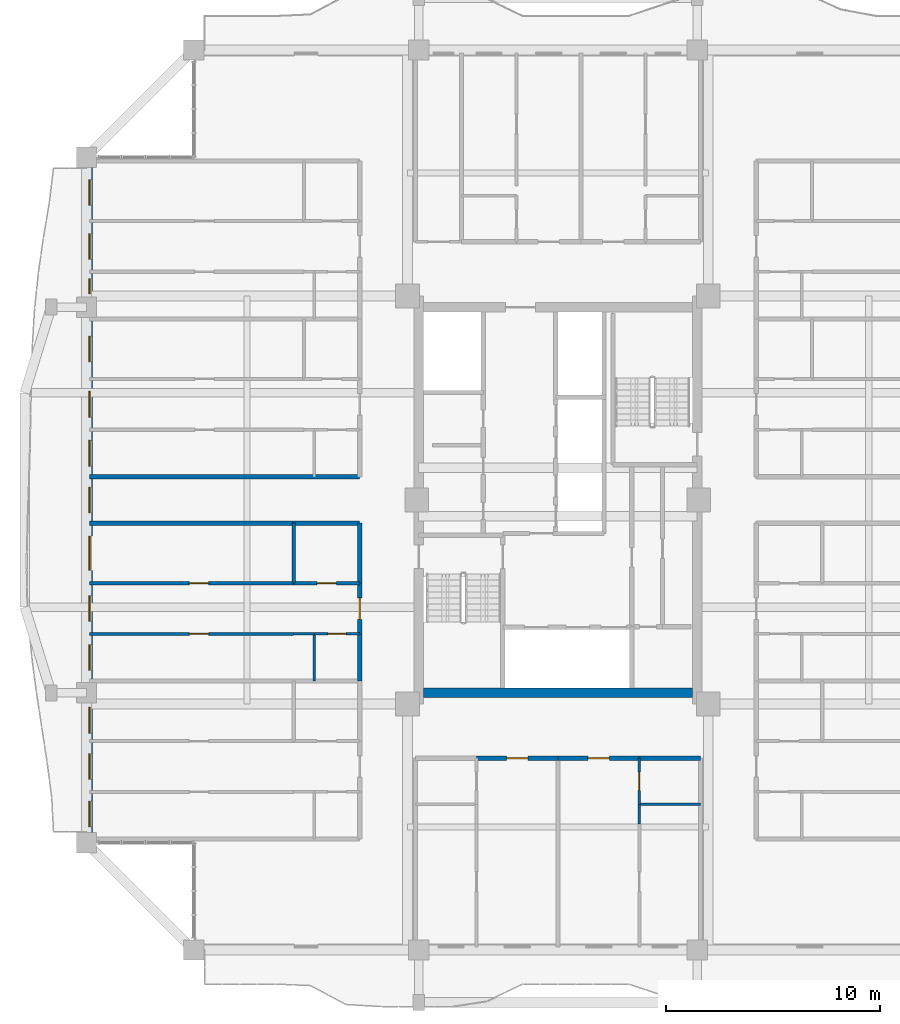
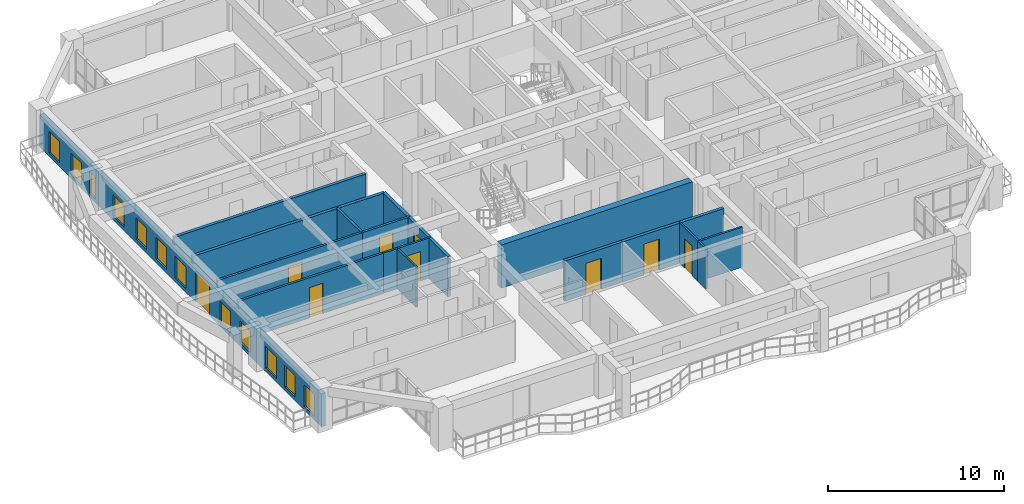
# One storey, part 12 of 23: 20 walls, 12 windows, 9 doors, 21 openings.
"""IFC4 building model written with IfcOpenShell, lengths in metres."""

from ifc_helpers import new_model, si_unit, direction, frame, frame_2d, origin, place, context, subcontext, project, spatial, rectangle, extrude, source, transform, mapped, material, layer, layer_set, type_object, element, fill, save


model = new_model("IFC4")

# Units and contexts
model_context = context("Model", 3, precision=1e-05, world=origin(), true_north=direction((0.0, 1.0)))
body_context = subcontext(model_context, "Body", "Model", "MODEL_VIEW")
ifc_project = project(units=[si_unit("LENGTHUNIT", "METRE"), si_unit("AREAUNIT", "SQUARE_METRE"), si_unit("VOLUMEUNIT", "CUBIC_METRE"), si_unit("PLANEANGLEUNIT", "RADIAN"), si_unit("MASSUNIT", "GRAM", prefix="KILO")], contexts=[model_context])

# Site, building, storey
site_placement = place(None, origin())
site = spatial("IfcSite", under=ifc_project, at=site_placement, CompositionType="ELEMENT")
building_placement = place(site_placement, origin())
building = spatial("IfcBuilding", under=site, at=building_placement, Name="Saelheon Loggia Tower", CompositionType="ELEMENT")
storey_placement = place(building_placement, frame((0.0, 0.0, 156.10009765625)))
storey = spatial("IfcBuildingStorey", under=building, at=storey_placement, Name="L49", CompositionType="ELEMENT", Elevation=156.10009765625)

# Wall
ifc_material_1 = material(Name="Concrete C45/55", Category="concrete")
ifc_layer_1 = layer(ifc_material_1, 0.449951171875)
ifc_layer_set_1 = layer_set([ifc_layer_1], Name="Concrete C45/55")
wall_type_1 = type_object("IfcWallType", Name="Wall_CoreShear_450", PredefinedType="SHEAR", material=ifc_layer_set_1)
wall_1_placement = place(storey_placement, frame((31.72509765625, 18.0, 0.0), z_axis=(0.0, 0.0, 1.0), x_axis=(1.0, 0.0, 0.0)))
element("IfcWall", 1, at=wall_1_placement, inside=storey, type_object=wall_type_1, Name="L49 Core Shear Wall South", PredefinedType="SHEAR", context=body_context, shape_type="SweptSolid", body=[
    extrude(rectangle(XDim=12.5498046875, YDim=0.449951171875, at=frame_2d((6.27490234375, 0.0))), origin(), (0.0, 0.0, 1.0), 3.0),
])

# Wall, openings, windows, door
ifc_material_2 = material(Name="Architectural Precast Concrete C40/50", Category="concrete")
ifc_layer_2 = layer(ifc_material_2, 0.280029296875)
ifc_layer_set_2 = layer_set([ifc_layer_2], Name="Architectural Precast Concrete C40/50")
wall_type_2 = type_object("IfcWallType", Name="Wall_Ext_Loggia_280", PredefinedType="SOLIDWALL", material=ifc_layer_set_2)
wall_2_placement = place(storey_placement, frame((16.139892578125, 11.0, 0.0), z_axis=(0.0, 0.0, 1.0), x_axis=(0.0, 1.0, 0.0)))
wall_2 = element("IfcWall", 2, at=wall_2_placement, inside=storey, type_object=wall_type_2, Name="L49 West Loggia Inner Wall", PredefinedType="SOLIDWALL", context=body_context, shape_type="SweptSolid", body=[
    extrude(rectangle(XDim=32.0, YDim=0.280029296875, at=frame_2d((16.0, 0.0))), origin(), (0.0, 0.0, 1.0), 2.27978515625),
])
opening_1_placement = place(wall_2_placement, frame((0.74755859375, 0.0, 0.25)))
opening_1 = element("IfcOpeningElement", 3, at=opening_1_placement, cuts=wall_2, Name="Opening WN-03", PredefinedType="OPENING", context=body_context, shape_type="SweptSolid", body=[
    extrude(rectangle(XDim=1.199951171875, YDim=1.5, at=frame_2d((0.60009765625, 0.75))), frame((0.0, 0.152099609375, 0.0), z_axis=(0.0, -1.0, 0.0), x_axis=(1.0, 0.0, 0.0)), (0.0, 0.0, 1.0), 0.303955078125),
])
opening_2_placement = place(wall_2_placement, frame((2.964599609375, 0.0, 0.25)))
opening_2 = element("IfcOpeningElement", 4, at=opening_2_placement, cuts=wall_2, Name="Opening WN-03", PredefinedType="OPENING", context=body_context, shape_type="SweptSolid", body=[
    extrude(rectangle(XDim=1.199951171875, YDim=1.5, at=frame_2d((0.60009765625, 0.75))), frame((0.0, 0.152099609375, 0.0), z_axis=(0.0, -1.0, 0.0), x_axis=(1.0, 0.0, 0.0)), (0.0, 0.0, 1.0), 0.303955078125),
])
opening_3_placement = place(wall_2_placement, frame((5.1171875, 0.0, 0.25)))
opening_3 = element("IfcOpeningElement", 5, at=opening_3_placement, cuts=wall_2, Name="Opening WN-03", PredefinedType="OPENING", context=body_context, shape_type="SweptSolid", body=[
    extrude(rectangle(XDim=1.199951171875, YDim=1.5, at=frame_2d((0.60009765625, 0.75))), frame((0.0, 0.152099609375, 0.0), z_axis=(0.0, -1.0, 0.0), x_axis=(1.0, 0.0, 0.0)), (0.0, 0.0, 1.0), 0.303955078125),
])
opening_4_placement = place(wall_2_placement, frame((8.050048828125, 0.0, 0.25)))
opening_4 = element("IfcOpeningElement", 6, at=opening_4_placement, cuts=wall_2, Name="Opening WN-03", PredefinedType="OPENING", context=body_context, shape_type="SweptSolid", body=[
    extrude(rectangle(XDim=1.199951171875, YDim=1.5, at=frame_2d((0.60009765625, 0.75))), frame((0.0, 0.152099609375, 0.0), z_axis=(0.0, -1.0, 0.0), x_axis=(1.0, 0.0, 0.0)), (0.0, 0.0, 1.0), 0.303955078125),
])
opening_5_placement = place(wall_2_placement, frame((10.334716796875, 0.0, 0.25)))
opening_5 = element("IfcOpeningElement", 7, at=opening_5_placement, cuts=wall_2, Name="Opening WN-03", PredefinedType="OPENING", context=body_context, shape_type="SweptSolid", body=[
    extrude(rectangle(XDim=1.199951171875, YDim=1.5, at=frame_2d((0.60009765625, 0.75))), frame((0.0, 0.152099609375, 0.0), z_axis=(0.0, -1.0, 0.0), x_axis=(1.0, 0.0, 0.0)), (0.0, 0.0, 1.0), 0.303955078125),
])
opening_6_placement = place(wall_2_placement, frame((12.7197265625, 0.0, 0.0)))
opening_6 = element("IfcOpeningElement", 8, at=opening_6_placement, cuts=wall_2, Name="Opening DLG-1", PredefinedType="OPENING", context=body_context, shape_type="SweptSolid", body=[
    extrude(rectangle(XDim=1.60009765625, YDim=2.14990234375, at=frame_2d((0.800048828125, 1.074951171875))), frame((0.0, 0.152099609375, 0.0), z_axis=(0.0, -1.0, 0.0), x_axis=(1.0, 0.0, 0.0)), (0.0, 0.0, 1.0), 0.303955078125),
])
opening_7_placement = place(wall_2_placement, frame((15.39990234375, 0.0, 0.25)))
opening_7 = element("IfcOpeningElement", 9, at=opening_7_placement, cuts=wall_2, Name="Opening WN-03", PredefinedType="OPENING", context=body_context, shape_type="SweptSolid", body=[
    extrude(rectangle(XDim=1.199951171875, YDim=1.5, at=frame_2d((0.60009765625, 0.75))), frame((0.0, 0.152099609375, 0.0), z_axis=(0.0, -1.0, 0.0), x_axis=(1.0, 0.0, 0.0)), (0.0, 0.0, 1.0), 0.303955078125),
])
opening_8_placement = place(wall_2_placement, frame((17.580078125, 0.0, 0.25)))
opening_8 = element("IfcOpeningElement", 10, at=opening_8_placement, cuts=wall_2, Name="Opening WN-03", PredefinedType="OPENING", context=body_context, shape_type="SweptSolid", body=[
    extrude(rectangle(XDim=1.199951171875, YDim=1.5, at=frame_2d((0.60009765625, 0.75))), frame((0.0, 0.152099609375, 0.0), z_axis=(0.0, -1.0, 0.0), x_axis=(1.0, 0.0, 0.0)), (0.0, 0.0, 1.0), 0.303955078125),
])
opening_9_placement = place(wall_2_placement, frame((19.86474609375, 0.0, 0.25)))
opening_9 = element("IfcOpeningElement", 11, at=opening_9_placement, cuts=wall_2, Name="Opening WN-03", PredefinedType="OPENING", context=body_context, shape_type="SweptSolid", body=[
    extrude(rectangle(XDim=1.199951171875, YDim=1.5, at=frame_2d((0.60009765625, 0.75))), frame((0.0, 0.152099609375, 0.0), z_axis=(0.0, -1.0, 0.0), x_axis=(1.0, 0.0, 0.0)), (0.0, 0.0, 1.0), 0.303955078125),
])
opening_10_placement = place(wall_2_placement, frame((22.44970703125, 0.0, 0.25)))
opening_10 = element("IfcOpeningElement", 12, at=opening_10_placement, cuts=wall_2, Name="Opening WN-03", PredefinedType="OPENING", context=body_context, shape_type="SweptSolid", body=[
    extrude(rectangle(XDim=1.199951171875, YDim=1.5, at=frame_2d((0.60009765625, 0.75))), frame((0.0, 0.152099609375, 0.0), z_axis=(0.0, -1.0, 0.0), x_axis=(1.0, 0.0, 0.0)), (0.0, 0.0, 1.0), 0.303955078125),
])
opening_11_placement = place(wall_2_placement, frame((25.632568359375, 0.0, 0.25)))
opening_11 = element("IfcOpeningElement", 13, at=opening_11_placement, cuts=wall_2, Name="Opening WN-06", PredefinedType="OPENING", context=body_context, shape_type="SweptSolid", body=[
    extrude(rectangle(XDim=0.699951171875, YDim=1.5, at=frame_2d((0.35009765625, 0.75))), frame((0.0, 0.152099609375, 0.0), z_axis=(0.0, -1.0, 0.0), x_axis=(1.0, 0.0, 0.0)), (0.0, 0.0, 1.0), 0.303955078125),
])
opening_12_placement = place(wall_2_placement, frame((27.234619140625, 0.0, 0.25)))
opening_12 = element("IfcOpeningElement", 14, at=opening_12_placement, cuts=wall_2, Name="Opening WN-03", PredefinedType="OPENING", context=body_context, shape_type="SweptSolid", body=[
    extrude(rectangle(XDim=1.199951171875, YDim=1.5, at=frame_2d((0.60009765625, 0.75))), frame((0.0, 0.152099609375, 0.0), z_axis=(0.0, -1.0, 0.0), x_axis=(1.0, 0.0, 0.0)), (0.0, 0.0, 1.0), 0.303955078125),
])
opening_13_placement = place(wall_2_placement, frame((29.752197265625, 0.0, 0.25)))
opening_13 = element("IfcOpeningElement", 15, at=opening_13_placement, cuts=wall_2, Name="Opening WN-03", PredefinedType="OPENING", context=body_context, shape_type="SweptSolid", body=[
    extrude(rectangle(XDim=1.199951171875, YDim=1.5, at=frame_2d((0.60009765625, 0.75))), frame((0.0, 0.152099609375, 0.0), z_axis=(0.0, -1.0, 0.0), x_axis=(1.0, 0.0, 0.0)), (0.0, 0.0, 1.0), 0.303955078125),
])
ifc_material_3 = material(Name="Thermal-Break Aluminium and Triple Low-E Glass", Category="aluminium")
window_type_1 = type_object("IfcWindowType", Name="Win_Slot_700x1500", PartitioningType="SINGLE_PANEL", PredefinedType="WINDOW", material=ifc_material_3)
shared_shape_1 = source(origin(), body_context, "Body", "SweptSolid", [
    extrude(rectangle(XDim=0.699951171875, YDim=1.5, at=frame_2d((0.35009765625, 0.75))), frame((0.0, 0.030029296875, 0.0), z_axis=(0.0, -1.0, 0.0), x_axis=(1.0, 0.0, 0.0)), (0.0, 0.0, 1.0), 0.06005859375),
])
window_1_placement = place(opening_11_placement, origin())
window_1 = element("IfcWindow", 16, at=window_1_placement, inside=storey, type_object=window_type_1, Name="L49 W Dwelling Window 11", OverallHeight=1.5, OverallWidth=0.699951171875, PartitioningType="SINGLE_PANEL", PredefinedType="WINDOW", context=body_context, shape_type="MappedRepresentation", body=[
    mapped(shared_shape_1, transform((0.0, 0.0, 0.0), scale=1.0)),
])
fill(opening_11, window_1)
window_type_2 = type_object("IfcWindowType", Name="Win_Bedroom_1200x1500", PartitioningType="SINGLE_PANEL", PredefinedType="WINDOW", material=ifc_material_3)
shared_shape_2 = source(origin(), body_context, "Body", "SweptSolid", [
    extrude(rectangle(XDim=1.199951171875, YDim=1.5, at=frame_2d((0.60009765625, 0.75))), frame((0.0, 0.030029296875, 0.0), z_axis=(0.0, -1.0, 0.0), x_axis=(1.0, 0.0, 0.0)), (0.0, 0.0, 1.0), 0.06005859375),
])
window_2_placement = place(opening_1_placement, origin())
window_2 = element("IfcWindow", 17, at=window_2_placement, inside=storey, type_object=window_type_2, Name="L49 W Dwelling Window 1", OverallHeight=1.5, OverallWidth=1.199951171875, PartitioningType="SINGLE_PANEL", PredefinedType="WINDOW", context=body_context, shape_type="MappedRepresentation", body=[
    mapped(shared_shape_2, transform((0.0, 0.0, 0.0), scale=1.0)),
])
fill(opening_1, window_2)
window_3_placement = place(opening_2_placement, origin())
window_3 = element("IfcWindow", 18, at=window_3_placement, inside=storey, type_object=window_type_2, Name="L49 W Dwelling Window 2", OverallHeight=1.5, OverallWidth=1.199951171875, PartitioningType="SINGLE_PANEL", PredefinedType="WINDOW", context=body_context, shape_type="MappedRepresentation", body=[
    mapped(shared_shape_2, transform((0.0, 0.0, 0.0), scale=1.0)),
])
fill(opening_2, window_3)
window_4_placement = place(opening_3_placement, origin())
window_4 = element("IfcWindow", 19, at=window_4_placement, inside=storey, type_object=window_type_2, Name="L49 W Dwelling Window 3", OverallHeight=1.5, OverallWidth=1.199951171875, PartitioningType="SINGLE_PANEL", PredefinedType="WINDOW", context=body_context, shape_type="MappedRepresentation", body=[
    mapped(shared_shape_2, transform((0.0, 0.0, 0.0), scale=1.0)),
])
fill(opening_3, window_4)
window_5_placement = place(opening_4_placement, origin())
window_5 = element("IfcWindow", 20, at=window_5_placement, inside=storey, type_object=window_type_2, Name="L49 W Dwelling Window 4", OverallHeight=1.5, OverallWidth=1.199951171875, PartitioningType="SINGLE_PANEL", PredefinedType="WINDOW", context=body_context, shape_type="MappedRepresentation", body=[
    mapped(shared_shape_2, transform((0.0, 0.0, 0.0), scale=1.0)),
])
fill(opening_4, window_5)
window_6_placement = place(opening_5_placement, origin())
window_6 = element("IfcWindow", 21, at=window_6_placement, inside=storey, type_object=window_type_2, Name="L49 W Dwelling Window 5", OverallHeight=1.5, OverallWidth=1.199951171875, PartitioningType="SINGLE_PANEL", PredefinedType="WINDOW", context=body_context, shape_type="MappedRepresentation", body=[
    mapped(shared_shape_2, transform((0.0, 0.0, 0.0), scale=1.0)),
])
fill(opening_5, window_6)
window_7_placement = place(opening_7_placement, origin())
window_7 = element("IfcWindow", 22, at=window_7_placement, inside=storey, type_object=window_type_2, Name="L49 W Dwelling Window 7", OverallHeight=1.5, OverallWidth=1.199951171875, PartitioningType="SINGLE_PANEL", PredefinedType="WINDOW", context=body_context, shape_type="MappedRepresentation", body=[
    mapped(shared_shape_2, transform((0.0, 0.0, 0.0), scale=1.0)),
])
fill(opening_7, window_7)
window_8_placement = place(opening_8_placement, origin())
window_8 = element("IfcWindow", 23, at=window_8_placement, inside=storey, type_object=window_type_2, Name="L49 W Dwelling Window 8", OverallHeight=1.5, OverallWidth=1.199951171875, PartitioningType="SINGLE_PANEL", PredefinedType="WINDOW", context=body_context, shape_type="MappedRepresentation", body=[
    mapped(shared_shape_2, transform((0.0, 0.0, 0.0), scale=1.0)),
])
fill(opening_8, window_8)
window_9_placement = place(opening_9_placement, origin())
window_9 = element("IfcWindow", 24, at=window_9_placement, inside=storey, type_object=window_type_2, Name="L49 W Dwelling Window 9", OverallHeight=1.5, OverallWidth=1.199951171875, PartitioningType="SINGLE_PANEL", PredefinedType="WINDOW", context=body_context, shape_type="MappedRepresentation", body=[
    mapped(shared_shape_2, transform((0.0, 0.0, 0.0), scale=1.0)),
])
fill(opening_9, window_9)
window_10_placement = place(opening_10_placement, origin())
window_10 = element("IfcWindow", 25, at=window_10_placement, inside=storey, type_object=window_type_2, Name="L49 W Dwelling Window 10", OverallHeight=1.5, OverallWidth=1.199951171875, PartitioningType="SINGLE_PANEL", PredefinedType="WINDOW", context=body_context, shape_type="MappedRepresentation", body=[
    mapped(shared_shape_2, transform((0.0, 0.0, 0.0), scale=1.0)),
])
fill(opening_10, window_10)
window_11_placement = place(opening_12_placement, origin())
window_11 = element("IfcWindow", 26, at=window_11_placement, inside=storey, type_object=window_type_2, Name="L49 W Dwelling Window 12", OverallHeight=1.5, OverallWidth=1.199951171875, PartitioningType="SINGLE_PANEL", PredefinedType="WINDOW", context=body_context, shape_type="MappedRepresentation", body=[
    mapped(shared_shape_2, transform((0.0, 0.0, 0.0), scale=1.0)),
])
fill(opening_12, window_11)
window_12_placement = place(opening_13_placement, origin())
window_12 = element("IfcWindow", 27, at=window_12_placement, inside=storey, type_object=window_type_2, Name="L49 W Dwelling Window 13", OverallHeight=1.5, OverallWidth=1.199951171875, PartitioningType="SINGLE_PANEL", PredefinedType="WINDOW", context=body_context, shape_type="MappedRepresentation", body=[
    mapped(shared_shape_2, transform((0.0, 0.0, 0.0), scale=1.0)),
])
fill(opening_13, window_12)
ifc_material_4 = material(Name="Thermal-Break Aluminium Sliding Glazed Door", Category="aluminium")
door_type_1 = type_object("IfcDoorType", Name="Door_LoggiaSlide_1600", OperationType="SLIDING_TO_LEFT", PredefinedType="DOOR", material=ifc_material_4)
shared_shape_3 = source(origin(), body_context, "Body", "SweptSolid", [
    extrude(rectangle(XDim=1.60009765625, YDim=2.14990234375, at=frame_2d((0.800048828125, 1.074951171875))), frame((0.0, 0.02490234375, 0.0), z_axis=(0.0, -1.0, 0.0), x_axis=(1.0, 0.0, 0.0)), (0.0, 0.0, 1.0), 0.050048828125),
])
door_1_placement = place(opening_6_placement, origin())
door_1 = element("IfcDoor", 28, at=door_1_placement, inside=storey, type_object=door_type_1, Name="L49 W Loggia Access Door", OperationType="SLIDING_TO_LEFT", OverallHeight=2.14990234375, OverallWidth=1.60009765625, PredefinedType="DOOR", context=body_context, shape_type="MappedRepresentation", body=[
    mapped(shared_shape_3, transform((0.0, 0.0, 0.0), scale=1.0)),
])
fill(opening_6, door_1)

# Wall
ifc_material_5 = material(Name="Lightweight Autoclaved Aerated Concrete Block and Acoustic Gypsum", Category="concrete")
ifc_layer_3 = layer(ifc_material_5, 0.14990234375)
ifc_layer_set_3 = layer_set([ifc_layer_3], Name="Lightweight Autoclaved Aerated Concrete Block and Acoustic Gypsum")
wall_type_3 = type_object("IfcWallType", Name="Wall_Part_150", PredefinedType="PARTITIONING", material=ifc_layer_set_3)
wall_3_placement = place(storey_placement, frame((25.669921875, 23.119384765625, 0.0), z_axis=(0.0, 0.0, 1.0), x_axis=(0.0, 1.0, 0.0)))
element("IfcWall", 29, at=wall_3_placement, inside=storey, type_object=wall_type_3, Name="L49 WS Partition V18", PredefinedType="PARTITIONING", context=body_context, shape_type="SweptSolid", body=[
    extrude(rectangle(XDim=2.800537109375, YDim=0.14990234375, at=frame_2d((1.400390625, 0.0))), origin(), (0.0, 0.0, 1.0), 2.789794921875),
])

# Wall, opening, door
wall_4_placement = place(storey_placement, frame((25.669921875, 20.75, 0.0), z_axis=(0.0, 0.0, 1.0), x_axis=(-1.0, 0.0, 0.0)))
wall_4 = element("IfcWall", 30, at=wall_4_placement, inside=storey, type_object=wall_type_3, Name="L49 WS Partition U21", PredefinedType="PARTITIONING", context=body_context, shape_type="SweptSolid", body=[
    extrude(rectangle(XDim=9.52001953125, YDim=0.14990234375, at=frame_2d((4.760009765625, 0.0))), origin(), (0.0, 0.0, 1.0), 2.789794921875),
])
opening_14_placement = place(wall_4_placement, frame((3.970703125, 0.0, 0.0)))
opening_14 = element("IfcOpeningElement", 31, at=opening_14_placement, cuts=wall_4, Name="Opening D-IN2", PredefinedType="OPENING", context=body_context, shape_type="SweptSolid", body=[
    extrude(rectangle(XDim=0.89990234375, YDim=2.10009765625, at=frame_2d((0.449951171875, 1.050048828125))), frame((0.0, 0.0869140625, 0.0), z_axis=(0.0, -1.0, 0.0), x_axis=(1.0, 0.0, 0.0)), (0.0, 0.0, 1.0), 0.173828125),
])
ifc_material_6 = material(Name="Engineered Oak Flush Door", Category="timber")
door_type_2 = type_object("IfcDoorType", Name="Door_Int_900", OperationType="NOTDEFINED", PredefinedType="DOOR", material=ifc_material_6)
shared_shape_4 = source(origin(), body_context, "Body", "SweptSolid", [
    extrude(rectangle(XDim=0.89990234375, YDim=2.10009765625, at=frame_2d((0.449951171875, 1.050048828125))), frame((0.0, 0.02490234375, 0.0), z_axis=(0.0, -1.0, 0.0), x_axis=(1.0, 0.0, 0.0)), (0.0, 0.0, 1.0), 0.050048828125),
])
door_2_placement = place(opening_14_placement, origin())
door_2 = element("IfcDoor", 32, at=door_2_placement, inside=storey, type_object=door_type_2, Name="Unit U06 Kitchen Door", OperationType="SINGLE_SWING_RIGHT", OverallHeight=2.10009765625, OverallWidth=0.89990234375, PredefinedType="DOOR", context=body_context, shape_type="MappedRepresentation", body=[
    mapped(shared_shape_4, transform((0.0, 0.0, 0.0), scale=1.0)),
])
fill(opening_14, door_2)

wall_5_placement = place(storey_placement, frame((28.75, 23.119384765625, 0.0), z_axis=(0.0, 0.0, 1.0), x_axis=(-1.0, 0.0, 0.0)))
wall_5 = element("IfcWall", 33, at=wall_5_placement, inside=storey, type_object=wall_type_3, Name="L49 WS Partition U22", PredefinedType="PARTITIONING", context=body_context, shape_type="SweptSolid", body=[
    extrude(rectangle(XDim=3.080078125, YDim=0.14990234375, at=frame_2d((1.5400390625, 0.0))), origin(), (0.0, 0.0, 1.0), 2.789794921875),
])
opening_15_placement = place(wall_5_placement, frame((1.090087890625, 0.0, 0.0)))
opening_15 = element("IfcOpeningElement", 34, at=opening_15_placement, cuts=wall_5, Name="Opening D-IN2", PredefinedType="OPENING", context=body_context, shape_type="SweptSolid", body=[
    extrude(rectangle(XDim=0.89990234375, YDim=2.10009765625, at=frame_2d((0.449951171875, 1.050048828125))), frame((0.0, 0.0869140625, 0.0), z_axis=(0.0, -1.0, 0.0), x_axis=(1.0, 0.0, 0.0)), (0.0, 0.0, 1.0), 0.173828125),
])
door_3_placement = place(opening_15_placement, origin())
door_3 = element("IfcDoor", 35, at=door_3_placement, inside=storey, type_object=door_type_2, Name="Unit U06 Dressing Closet Door", OperationType="SINGLE_SWING_LEFT", OverallHeight=2.10009765625, OverallWidth=0.89990234375, PredefinedType="DOOR", context=body_context, shape_type="MappedRepresentation", body=[
    mapped(shared_shape_4, transform((0.0, 0.0, 0.0), scale=1.0)),
])
fill(opening_15, door_3)

wall_6_placement = place(storey_placement, frame((25.669921875, 23.119384765625, 0.0), z_axis=(0.0, 0.0, 1.0), x_axis=(-1.0, 0.0, 0.0)))
wall_6 = element("IfcWall", 36, at=wall_6_placement, inside=storey, type_object=wall_type_3, Name="L49 WS Partition U23", PredefinedType="PARTITIONING", context=body_context, shape_type="SweptSolid", body=[
    extrude(rectangle(XDim=9.52001953125, YDim=0.14990234375, at=frame_2d((4.760009765625, 0.0))), origin(), (0.0, 0.0, 1.0), 2.789794921875),
])
opening_16_placement = place(wall_6_placement, frame((3.970703125, 0.0, 0.0)))
opening_16 = element("IfcOpeningElement", 37, at=opening_16_placement, cuts=wall_6, Name="Opening D-IN2", PredefinedType="OPENING", context=body_context, shape_type="SweptSolid", body=[
    extrude(rectangle(XDim=0.89990234375, YDim=2.10009765625, at=frame_2d((0.449951171875, 1.050048828125))), frame((0.0, 0.0869140625, 0.0), z_axis=(0.0, -1.0, 0.0), x_axis=(1.0, 0.0, 0.0)), (0.0, 0.0, 1.0), 0.173828125),
])
door_4_placement = place(opening_16_placement, origin())
door_4 = element("IfcDoor", 38, at=door_4_placement, inside=storey, type_object=door_type_2, Name="Unit U06 Bedroom 1 Door", OperationType="SINGLE_SWING_RIGHT", OverallHeight=2.10009765625, OverallWidth=0.89990234375, PredefinedType="DOOR", context=body_context, shape_type="MappedRepresentation", body=[
    mapped(shared_shape_4, transform((0.0, 0.0, 0.0), scale=1.0)),
])
fill(opening_16, door_4)

ifc_material_7 = material(Name="Double Acoustic Stud and Fireboard Partition", Category="gypsum")
ifc_layer_4 = layer(ifc_material_7, 0.199951171875)
ifc_layer_set_4 = layer_set([ifc_layer_4], Name="Double Acoustic Stud and Fireboard Partition")
wall_type_4 = type_object("IfcWallType", Name="Wall_Party_200", PredefinedType="PARTITIONING", material=ifc_layer_set_4)
wall_7_placement = place(storey_placement, frame((34.199951171875, 14.949951171875, 0.0), z_axis=(0.0, 0.0, 1.0), x_axis=(1.0, 0.0, 0.0)))
wall_7 = element("IfcWall", 39, at=wall_7_placement, inside=storey, type_object=wall_type_4, Name="L49 S Partition V04", PredefinedType="PARTITIONING", context=body_context, shape_type="SweptSolid", body=[
    extrude(rectangle(XDim=3.800048828125, YDim=0.199951171875, at=frame_2d((1.89990234375, 0.0))), origin(), (0.0, 0.0, 1.0), 2.789794921875),
])
opening_17_placement = place(wall_7_placement, frame((1.39990234375, 0.0, 0.0)))
opening_17 = element("IfcOpeningElement", 40, at=opening_17_placement, cuts=wall_7, Name="Opening D-FD1", PredefinedType="OPENING", context=body_context, shape_type="SweptSolid", body=[
    extrude(rectangle(XDim=1.0, YDim=2.14990234375, at=frame_2d((0.5, 1.074951171875))), frame((0.0, 0.112060546875, 0.0), z_axis=(0.0, -1.0, 0.0), x_axis=(1.0, 0.0, 0.0)), (0.0, 0.0, 1.0), 0.223876953125),
])
ifc_material_8 = material(Name="Fire-Rated Engineered Timber Entrance Door", Category="wood")
door_type_3 = type_object("IfcDoorType", Name="Door_Flat_FD30S", OperationType="NOTDEFINED", PredefinedType="DOOR", material=ifc_material_8)
shared_shape_5 = source(origin(), body_context, "Body", "SweptSolid", [
    extrude(rectangle(XDim=1.0, YDim=2.14990234375, at=frame_2d((0.5, 1.074951171875))), frame((0.0, 0.02490234375, 0.0), z_axis=(0.0, -1.0, 0.0), x_axis=(1.0, 0.0, 0.0)), (0.0, 0.0, 1.0), 0.050048828125),
])
door_5_placement = place(opening_17_placement, origin())
door_5 = element("IfcDoor", 41, at=door_5_placement, inside=storey, type_object=door_type_3, Name="Unit U01 Entrance Door", OperationType="SINGLE_SWING_RIGHT", OverallHeight=2.14990234375, OverallWidth=1.0, PredefinedType="DOOR", context=body_context, shape_type="MappedRepresentation", body=[
    mapped(shared_shape_5, transform((0.0, 0.0, 0.0), scale=1.0)),
])
fill(opening_17, door_5)

wall_8_placement = place(storey_placement, frame((38.0, 14.949951171875, 0.0), z_axis=(0.0, 0.0, 1.0), x_axis=(1.0, 0.0, 0.0)))
wall_8 = element("IfcWall", 42, at=wall_8_placement, inside=storey, type_object=wall_type_4, Name="L49 S Partition V10", PredefinedType="PARTITIONING", context=body_context, shape_type="SweptSolid", body=[
    extrude(rectangle(XDim=3.800048828125, YDim=0.199951171875, at=frame_2d((1.89990234375, 0.0))), origin(), (0.0, 0.0, 1.0), 2.789794921875),
])
opening_18_placement = place(wall_8_placement, frame((1.39990234375, 0.0, 0.0)))
opening_18 = element("IfcOpeningElement", 43, at=opening_18_placement, cuts=wall_8, Name="Opening D-FD1", PredefinedType="OPENING", context=body_context, shape_type="SweptSolid", body=[
    extrude(rectangle(XDim=1.0, YDim=2.14990234375, at=frame_2d((0.5, 1.074951171875))), frame((0.0, 0.112060546875, 0.0), z_axis=(0.0, -1.0, 0.0), x_axis=(1.0, 0.0, 0.0)), (0.0, 0.0, 1.0), 0.223876953125),
])
door_6_placement = place(opening_18_placement, origin())
door_6 = element("IfcDoor", 44, at=door_6_placement, inside=storey, type_object=door_type_3, Name="Unit U02 Entrance Door", OperationType="SINGLE_SWING_LEFT", OverallHeight=2.14990234375, OverallWidth=1.0, PredefinedType="DOOR", context=body_context, shape_type="MappedRepresentation", body=[
    mapped(shared_shape_5, transform((0.0, 0.0, 0.0), scale=1.0)),
])
fill(opening_18, door_6)

# Walls
wall_9_placement = place(storey_placement, frame((41.800048828125, 14.949951171875, 0.0), z_axis=(0.0, 0.0, 1.0), x_axis=(1.0, 0.0, 0.0)))
element("IfcWall", 45, at=wall_9_placement, inside=storey, type_object=wall_type_4, Name="L49 S Partition V11", PredefinedType="PARTITIONING", context=body_context, shape_type="SweptSolid", body=[
    extrude(rectangle(XDim=2.849853515625, YDim=0.199951171875, at=frame_2d((1.4248046875, 0.0))), origin(), (0.0, 0.0, 1.0), 2.789794921875),
])
wall_10_placement = place(storey_placement, frame((28.75, 25.919921875, 0.0), z_axis=(0.0, 0.0, 1.0), x_axis=(-1.0, 0.0, 0.0)))
element("IfcWall", 46, at=wall_10_placement, inside=storey, type_object=wall_type_4, Name="L49 WS Partition U02", PredefinedType="PARTITIONING", context=body_context, shape_type="SweptSolid", body=[
    extrude(rectangle(XDim=12.60009765625, YDim=0.199951171875, at=frame_2d((6.300048828125, 0.0))), origin(), (0.0, 0.0, 1.0), 2.789794921875),
])
wall_11_placement = place(storey_placement, frame((28.75, 18.550048828125, 0.0), z_axis=(0.0, 0.0, 1.0), x_axis=(0.0, 1.0, 0.0)))
element("IfcWall", 47, at=wall_11_placement, inside=storey, type_object=wall_type_4, Name="L49 WS Partition V14", PredefinedType="PARTITIONING", context=body_context, shape_type="SweptSolid", body=[
    extrude(rectangle(XDim=2.199951171875, YDim=0.199951171875, at=frame_2d((1.10009765625, 0.0))), origin(), (0.0, 0.0, 1.0), 2.789794921875),
])

# Wall, opening, door
wall_12_placement = place(storey_placement, frame((28.75, 20.75, 0.0), z_axis=(0.0, 0.0, 1.0), x_axis=(0.0, 1.0, 0.0)))
wall_12 = element("IfcWall", 48, at=wall_12_placement, inside=storey, type_object=wall_type_4, Name="L49 WS Partition V15", PredefinedType="PARTITIONING", context=body_context, shape_type="SweptSolid", body=[
    extrude(rectangle(XDim=2.369384765625, YDim=0.199951171875, at=frame_2d((1.1845703125, 0.0))), origin(), (0.0, 0.0, 1.0), 2.789794921875),
])
opening_19_placement = place(wall_12_placement, frame((0.684814453125, 0.0, 0.0)))
opening_19 = element("IfcOpeningElement", 49, at=opening_19_placement, cuts=wall_12, Name="Opening D-FD1", PredefinedType="OPENING", context=body_context, shape_type="SweptSolid", body=[
    extrude(rectangle(XDim=1.0, YDim=2.14990234375, at=frame_2d((0.5, 1.074951171875))), frame((0.0, 0.112060546875, 0.0), z_axis=(0.0, -1.0, 0.0), x_axis=(1.0, 0.0, 0.0)), (0.0, 0.0, 1.0), 0.223876953125),
])
door_7_placement = place(opening_19_placement, origin())
door_7 = element("IfcDoor", 50, at=door_7_placement, inside=storey, type_object=door_type_3, Name="Unit U06 Entrance Door", OperationType="SINGLE_SWING_RIGHT", OverallHeight=2.14990234375, OverallWidth=1.0, PredefinedType="DOOR", context=body_context, shape_type="MappedRepresentation", body=[
    mapped(shared_shape_5, transform((0.0, 0.0, 0.0), scale=1.0)),
])
fill(opening_19, door_7)

# Walls
wall_13_placement = place(storey_placement, frame((28.75, 23.119384765625, 0.0), z_axis=(0.0, 0.0, 1.0), x_axis=(0.0, 1.0, 0.0)))
element("IfcWall", 51, at=wall_13_placement, inside=storey, type_object=wall_type_4, Name="L49 WS Partition V16", PredefinedType="PARTITIONING", context=body_context, shape_type="SweptSolid", body=[
    extrude(rectangle(XDim=2.800537109375, YDim=0.199951171875, at=frame_2d((1.400390625, 0.0))), origin(), (0.0, 0.0, 1.0), 2.789794921875),
])
wall_14_placement = place(storey_placement, frame((28.75, 28.080078125, 0.0), z_axis=(0.0, 0.0, 1.0), x_axis=(-1.0, 0.0, 0.0)))
element("IfcWall", 52, at=wall_14_placement, inside=storey, type_object=wall_type_4, Name="L49 WN Partition U01", PredefinedType="PARTITIONING", context=body_context, shape_type="SweptSolid", body=[
    extrude(rectangle(XDim=12.60009765625, YDim=0.199951171875, at=frame_2d((6.300048828125, 0.0))), origin(), (0.0, 0.0, 1.0), 2.789794921875),
])

# Wall, opening, door
ifc_material_9 = material(Name="Moisture-Resistant Cement Board Partition", Category="gypsum")
ifc_layer_5 = layer(ifc_material_9, 0.1201171875)
ifc_layer_set_5 = layer_set([ifc_layer_5], Name="Moisture-Resistant Cement Board Partition")
wall_type_5 = type_object("IfcWallType", Name="Wall_WetPart_120", PredefinedType="PARTITIONING", material=ifc_layer_set_5)
wall_15_placement = place(storey_placement, frame((41.800048828125, 14.949951171875, 0.0), z_axis=(0.0, 0.0, 1.0), x_axis=(0.0, -1.0, 0.0)))
wall_15 = element("IfcWall", 53, at=wall_15_placement, inside=storey, type_object=wall_type_5, Name="L49 S Partition U12", PredefinedType="PARTITIONING", context=body_context, shape_type="SweptSolid", body=[
    extrude(rectangle(XDim=2.14990234375, YDim=0.1201171875, at=frame_2d((1.074951171875, 0.0))), origin(), (0.0, 0.0, 1.0), 2.789794921875),
])
opening_20_placement = place(wall_15_placement, frame((0.64990234375, 0.0, 0.0)))
opening_20 = element("IfcOpeningElement", 54, at=opening_20_placement, cuts=wall_15, Name="Opening D-BT1", PredefinedType="OPENING", context=body_context, shape_type="SweptSolid", body=[
    extrude(rectangle(XDim=0.85009765625, YDim=2.050048828125, at=frame_2d((0.425048828125, 1.02490234375))), frame((0.0, 0.072021484375, 0.0), z_axis=(0.0, -1.0, 0.0), x_axis=(1.0, 0.0, 0.0)), (0.0, 0.0, 1.0), 0.14404296875),
])
ifc_material_10 = material(Name="Moisture-Resistant Laminate Timber Door", Category="wood")
door_type_4 = type_object("IfcDoorType", Name="Door_Bath_850", OperationType="NOTDEFINED", PredefinedType="DOOR", material=ifc_material_10)
shared_shape_6 = source(origin(), body_context, "Body", "SweptSolid", [
    extrude(rectangle(XDim=0.85009765625, YDim=2.050048828125, at=frame_2d((0.425048828125, 1.02490234375))), frame((0.0, 0.02490234375, 0.0), z_axis=(0.0, -1.0, 0.0), x_axis=(1.0, 0.0, 0.0)), (0.0, 0.0, 1.0), 0.050048828125),
])
door_8_placement = place(opening_20_placement, origin())
door_8 = element("IfcDoor", 55, at=door_8_placement, inside=storey, type_object=door_type_4, Name="Unit U02 Bathroom Door", OperationType="SINGLE_SWING_RIGHT", OverallHeight=2.050048828125, OverallWidth=0.85009765625, PredefinedType="DOOR", context=body_context, shape_type="MappedRepresentation", body=[
    mapped(shared_shape_6, transform((0.0, 0.0, 0.0), scale=1.0)),
])
fill(opening_20, door_8)

# Walls
wall_16_placement = place(storey_placement, frame((41.800048828125, 12.800048828125, 0.0), z_axis=(0.0, 0.0, 1.0), x_axis=(0.0, -1.0, 0.0)))
element("IfcWall", 56, at=wall_16_placement, inside=storey, type_object=wall_type_5, Name="L49 S Partition U13", PredefinedType="PARTITIONING", context=body_context, shape_type="SweptSolid", body=[
    extrude(rectangle(XDim=0.929931640625, YDim=0.1201171875, at=frame_2d((0.46484375, 0.0))), origin(), (0.0, 0.0, 1.0), 2.789794921875),
])
wall_17_placement = place(storey_placement, frame((41.800048828125, 12.800048828125, 0.0), z_axis=(0.0, 0.0, 1.0), x_axis=(1.0, 0.0, 0.0)))
element("IfcWall", 57, at=wall_17_placement, inside=storey, type_object=wall_type_5, Name="L49 S Partition V14", PredefinedType="PARTITIONING", context=body_context, shape_type="SweptSolid", body=[
    extrude(rectangle(XDim=2.849853515625, YDim=0.1201171875, at=frame_2d((1.4248046875, 0.0))), origin(), (0.0, 0.0, 1.0), 2.789794921875),
])
wall_18_placement = place(storey_placement, frame((26.6298828125, 18.550048828125, 0.0), z_axis=(0.0, 0.0, 1.0), x_axis=(0.0, 1.0, 0.0)))
element("IfcWall", 58, at=wall_18_placement, inside=storey, type_object=wall_type_5, Name="L49 WS Partition V17", PredefinedType="PARTITIONING", context=body_context, shape_type="SweptSolid", body=[
    extrude(rectangle(XDim=2.199951171875, YDim=0.1201171875, at=frame_2d((1.10009765625, 0.0))), origin(), (0.0, 0.0, 1.0), 2.789794921875),
])

# Wall, opening, door
wall_19_placement = place(storey_placement, frame((28.75, 20.75, 0.0), z_axis=(0.0, 0.0, 1.0), x_axis=(-1.0, 0.0, 0.0)))
wall_19 = element("IfcWall", 59, at=wall_19_placement, inside=storey, type_object=wall_type_5, Name="L49 WS Partition U19", PredefinedType="PARTITIONING", context=body_context, shape_type="SweptSolid", body=[
    extrude(rectangle(XDim=2.1201171875, YDim=0.1201171875, at=frame_2d((1.06005859375, 0.0))), origin(), (0.0, 0.0, 1.0), 2.789794921875),
])
opening_21_placement = place(wall_19_placement, frame((0.635009765625, 0.0, 0.0)))
opening_21 = element("IfcOpeningElement", 60, at=opening_21_placement, cuts=wall_19, Name="Opening D-BT1", PredefinedType="OPENING", context=body_context, shape_type="SweptSolid", body=[
    extrude(rectangle(XDim=0.85009765625, YDim=2.050048828125, at=frame_2d((0.425048828125, 1.02490234375))), frame((0.0, 0.072021484375, 0.0), z_axis=(0.0, -1.0, 0.0), x_axis=(1.0, 0.0, 0.0)), (0.0, 0.0, 1.0), 0.14404296875),
])
door_9_placement = place(opening_21_placement, origin())
door_9 = element("IfcDoor", 61, at=door_9_placement, inside=storey, type_object=door_type_4, Name="Unit U06 Bathroom Door", OperationType="SINGLE_SWING_LEFT", OverallHeight=2.050048828125, OverallWidth=0.85009765625, PredefinedType="DOOR", context=body_context, shape_type="MappedRepresentation", body=[
    mapped(shared_shape_6, transform((0.0, 0.0, 0.0), scale=1.0)),
])
fill(opening_21, door_9)

# Wall
wall_20_placement = place(storey_placement, frame((26.6298828125, 20.75, 0.0), z_axis=(0.0, 0.0, 1.0), x_axis=(-1.0, 0.0, 0.0)))
element("IfcWall", 62, at=wall_20_placement, inside=storey, type_object=wall_type_5, Name="L49 WS Partition U20", PredefinedType="PARTITIONING", context=body_context, shape_type="SweptSolid", body=[
    extrude(rectangle(XDim=0.9599609375, YDim=0.1201171875, at=frame_2d((0.47998046875, 0.0))), origin(), (0.0, 0.0, 1.0), 2.789794921875),
])

save(model, "model.ifc")
